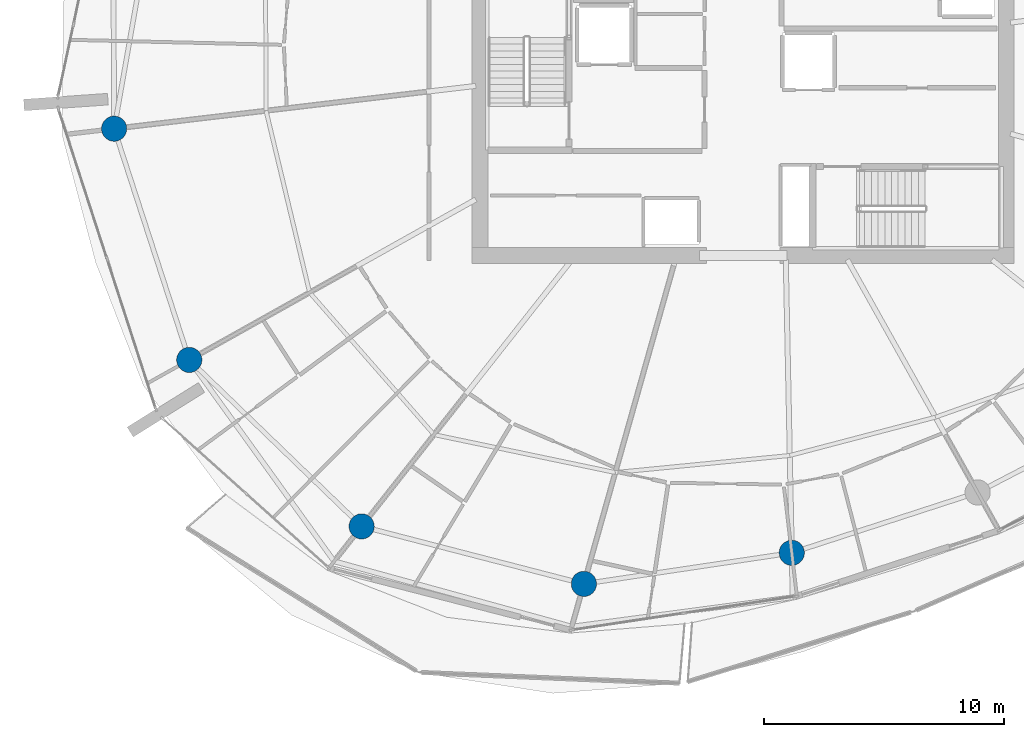
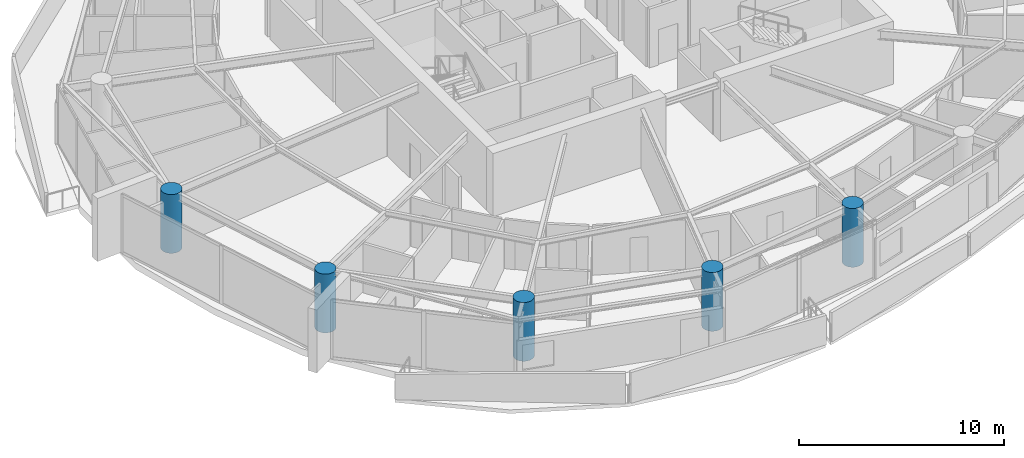
# One storey, part 1 of 21: 5 columns.
"""IFC4 building model written with IfcOpenShell, lengths in metres."""

from ifc_helpers import new_model, si_unit, direction, frame, origin, origin_2d, place, context, subcontext, project, spatial, circle, extrude, material, material_profile, profile_set, type_object, element, save


model = new_model("IFC4")

# Units and contexts
model_context = context("Model", 3, precision=1e-05, world=origin(), true_north=direction((0.0, 1.0)))
body_context = subcontext(model_context, "Body", "Model", "MODEL_VIEW")
ifc_project = project(units=[si_unit("LENGTHUNIT", "METRE"), si_unit("AREAUNIT", "SQUARE_METRE"), si_unit("VOLUMEUNIT", "CUBIC_METRE"), si_unit("PLANEANGLEUNIT", "RADIAN"), si_unit("MASSUNIT", "GRAM", prefix="KILO")], contexts=[model_context])

# Site, building, storey
site_placement = place(None, origin())
site = spatial("IfcSite", under=ifc_project, at=site_placement, CompositionType="ELEMENT")
building_placement = place(site_placement, origin())
building = spatial("IfcBuilding", under=site, at=building_placement, Name="Kazma Halo Residences", CompositionType="ELEMENT")
storey_placement = place(building_placement, frame((0.0, 0.0, 176.550048828125)))
storey = spatial("IfcBuildingStorey", under=building, at=storey_placement, Name="L44", CompositionType="ELEMENT", Elevation=176.550048828125)

# Columns
ifc_material = material(Name="Concrete C80/95", Category="concrete")
ifc_material_profile = material_profile(ifc_material, circle(Radius=0.52490234375, at=origin_2d()), Name="CIRC1050")
ifc_profile_set = profile_set([ifc_material_profile], Name="Concrete C80/95")
column_type = type_object("IfcColumnType", Name="COL-PERIM-1050", PredefinedType="COLUMN", material=ifc_profile_set)
for number, where, z_axis, x_axis, name in (
    (1, (22.248291015625, 38.9521484375, 0.0), (0.0, 0.0, 1.0), (1.0, 0.0, 0.0), "L44 perimeter ring column P08"),
    (2, (25.375, 29.329345703125, 0.0), (0.0, 0.0, 1.0), (1.0, 0.0, 0.0), "L44 perimeter ring column P09"),
    (3, (32.54931640625, 22.401123046875, 0.0), (0.0, 0.0, 1.0), (1.0, 0.0, 0.0), "L44 perimeter ring column P10"),
    (4, (41.797607421875, 20.00830078125, 0.0), (0.0, 0.0, 1.0), (1.0, 0.0, 0.0), "L44 perimeter ring column P11"),
    (5, (50.449951171875, 21.30029296875, 0.0), (0.0, 0.0, 1.0), (1.0, 0.0, 0.0), "L44 perimeter ring column P12"),
):
    element("IfcColumn", number, at=place(storey_placement, frame(where, z_axis=z_axis, x_axis=x_axis)), inside=storey, type_object=column_type, Name=name, PredefinedType="COLUMN", context=body_context, shape_type="SweptSolid", body=[
        extrude(circle(Radius=0.52490234375, at=origin_2d()), origin(), (0.0, 0.0, 1.0), 3.5),
    ])

save(model, "model.ifc")
